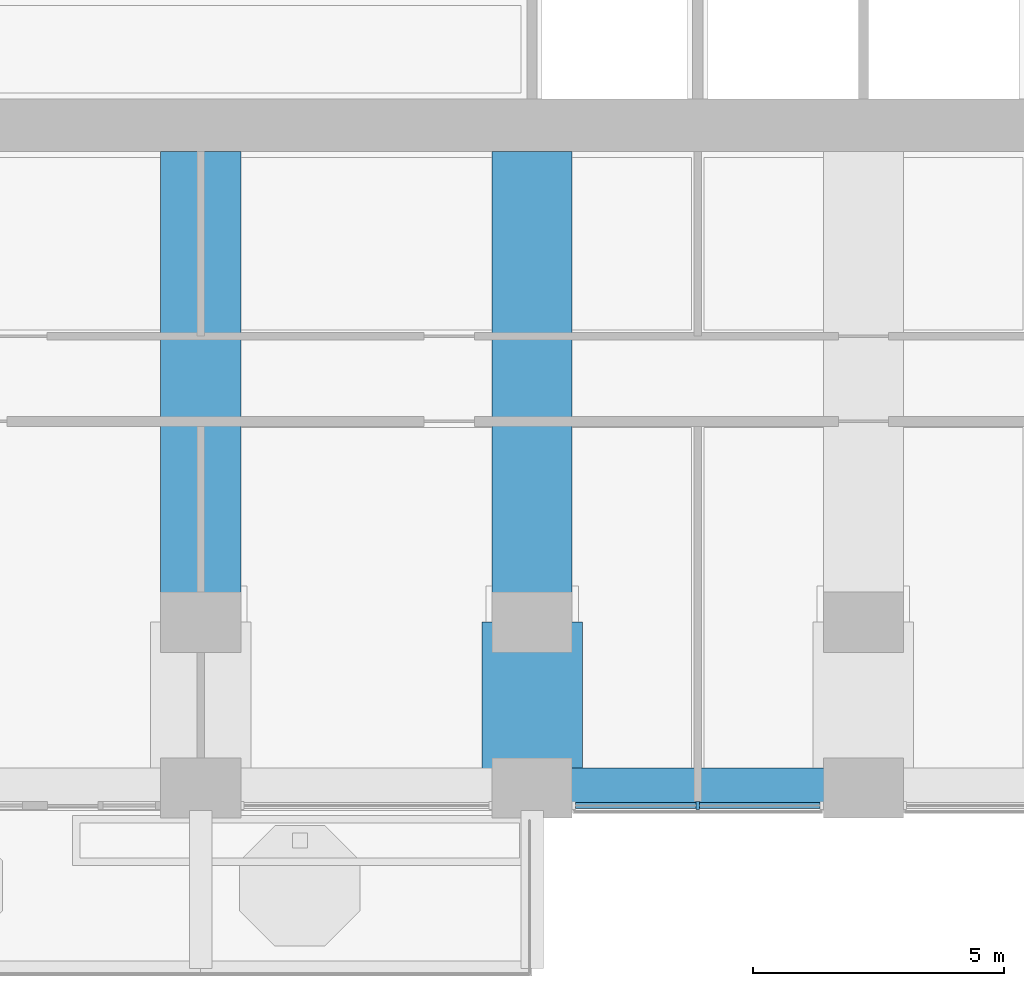
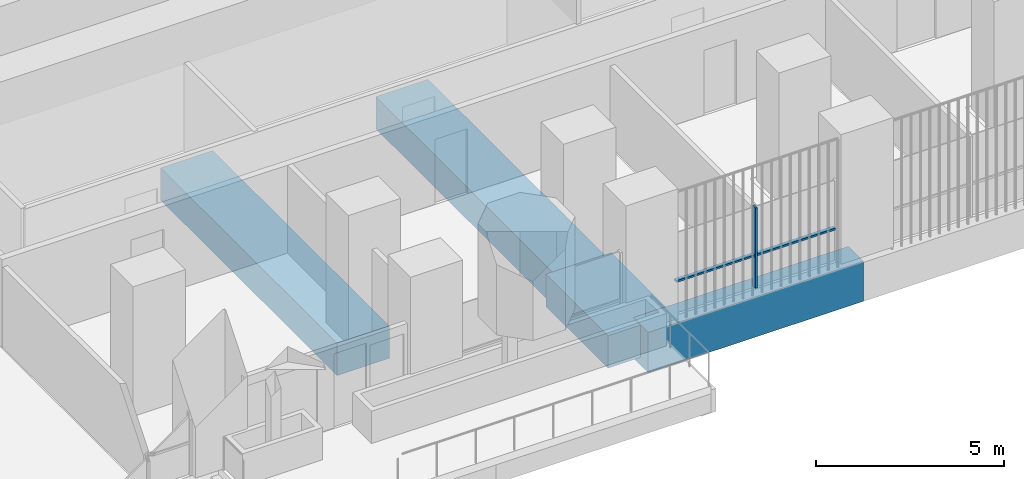
# One storey, part 3 of 21: 4 beams, 3 members, 1 element without a shape of its own.
"""IFC4 building model written with IfcOpenShell, lengths in metres."""

import ifcopenshell
import ifcopenshell.guid

model = None  # the IFC model being written
_history = None  # IfcOwnerHistory: only IFC2X3 demands one
_inside = {}  # id of a spatial element -> (the spatial element, [elements in it])
_under = {}  # id of a project, library or spatial element -> (it, [spatial elements below it])
_declared = {}  # id of a project -> (the project, [libraries it declares])
_typed = {}  # id of a type object -> (the type object, [elements of that type])
_made_of = {}  # id of a material, layer set ... -> (it, [elements and type objects made of it])


def new_model(schema):
    """Start an empty IFC model of exactly this schema.

    Asked for "IFC4X3", IfcOpenShell would pick the latest addendum, in which some entities
    have other attributes; the version numbers below select the first issue.
    IFC2X3 requires an IfcOwnerHistory on every rooted entity: one is made here for all.
    """
    global model, _history
    if schema == "IFC4X3":
        model = ifcopenshell.file(schema_version=(4, 3, 0, 0))
    else:
        model = ifcopenshell.file(schema=schema)
    _inside.clear()
    _under.clear()
    _declared.clear()
    _typed.clear()
    _made_of.clear()
    _history = None
    if model.schema == "IFC2X3":
        org = make("IfcOrganization", Name="unknown")
        user = make(
            "IfcPersonAndOrganization",
            ThePerson=make("IfcPerson", FamilyName="unknown"),
            TheOrganization=org,
        )
        app = make(
            "IfcApplication",
            ApplicationDeveloper=org,
            Version="unknown",
            ApplicationFullName="unknown",
            ApplicationIdentifier="unknown",
        )
        _history = make(
            "IfcOwnerHistory",
            OwningUser=user,
            OwningApplication=app,
            ChangeAction="ADDED",
            CreationDate=0,
        )
    return model


def make(cls, **values):
    """One entity of the class cls with the attributes given. An attribute that is None is left unset."""
    return model.create_entity(
        cls, **{name: value for name, value in values.items() if value is not None}
    )


def rooted(cls, **values):
    """An entity with a GlobalId (a new one), such as an element, a storey or a relation."""
    return make(cls, GlobalId=ifcopenshell.guid.new(), OwnerHistory=_history, **values)


def si_unit(unit_type, name, prefix=None):
    """IfcSIUnit, for example si_unit("LENGTHUNIT", "METRE", prefix="MILLI")."""
    return make("IfcSIUnit", UnitType=unit_type, Prefix=prefix, Name=name)


def assignment(units):
    """IfcUnitAssignment: the units of a project."""
    return None if units is None else make("IfcUnitAssignment", Units=units)


def point(xyz):
    """IfcCartesianPoint."""
    return None if xyz is None else make("IfcCartesianPoint", Coordinates=xyz)


def direction(xyz):
    """IfcDirection."""
    return None if xyz is None else make("IfcDirection", DirectionRatios=xyz)


def frame(location, z_axis=None, x_axis=None):
    """IfcAxis2Placement3D, a coordinate frame: its origin and axes. An axis left out is left unset."""
    return make(
        "IfcAxis2Placement3D",
        Location=point(location),
        Axis=direction(z_axis),
        RefDirection=direction(x_axis),
    )


def frame_2d(location, x_axis=None):
    """IfcAxis2Placement2D, a coordinate frame in the plane: its origin and x axis."""
    return make(
        "IfcAxis2Placement2D", Location=point(location), RefDirection=direction(x_axis)
    )


def origin():
    """The frame at (0, 0, 0) with its axes left unset."""
    return frame((0.0, 0.0, 0.0))


def origin_2d():
    """The frame at (0, 0) in the plane with its x axis left unset."""
    return frame_2d((0.0, 0.0))


def place(relative_to, where):
    """IfcLocalPlacement: puts the frame where relative to a parent placement (None: the world)."""
    return make(
        "IfcLocalPlacement", PlacementRelTo=relative_to, RelativePlacement=where
    )


def context(
    kind, dimensions, precision=None, world=None, true_north=None, identifier=None
):
    """IfcGeometricRepresentationContext, for example the 3D "Model" context."""
    return make(
        "IfcGeometricRepresentationContext",
        ContextIdentifier=identifier,
        ContextType=kind,
        CoordinateSpaceDimension=dimensions,
        Precision=precision,
        WorldCoordinateSystem=world,
        TrueNorth=true_north,
    )


def subcontext(parent, identifier, kind, view, scale=None):
    """IfcGeometricRepresentationSubContext, for example "Body" below "Model"."""
    return make(
        "IfcGeometricRepresentationSubContext",
        ContextIdentifier=identifier,
        ContextType=kind,
        ParentContext=parent,
        TargetScale=scale,
        TargetView=view,
    )


def project(units=None, contexts=None):
    """IfcProject with its units and contexts."""
    return rooted(
        "IfcProject",
        Name="project",
        RepresentationContexts=contexts,
        UnitsInContext=assignment(units),
    )


def spatial(cls, under=None, at=None, **own):
    """A site, building, storey or space (cls), placed at a placement, below another one or the project."""
    s = rooted(cls, ObjectPlacement=at, **own)
    if under is not None:
        _under.setdefault(under.id(), (under, []))[1].append(s)
    return s


def profile(cls, at=None, kind="AREA", **sizes):
    """A parametric profile (cls). Its sizes go by their IFC names, for example OverallWidth=200.0."""
    return make(cls, ProfileType=kind, Position=at, **sizes)


def rectangle(**sizes):
    """IfcRectangleProfileDef."""
    return profile("IfcRectangleProfileDef", **sizes)


def extrude(swept, where, along, depth):
    """IfcExtrudedAreaSolid: the profile swept, set in the frame where, extruded along a direction by depth."""
    return make(
        "IfcExtrudedAreaSolid",
        SweptArea=swept,
        Position=where,
        ExtrudedDirection=direction(along),
        Depth=depth,
    )


def shape(context_of_items, identifier, shape_type, items):
    """IfcShapeRepresentation: the items that make up one representation, for example the "Body"."""
    return make(
        "IfcShapeRepresentation",
        ContextOfItems=context_of_items,
        RepresentationIdentifier=identifier,
        RepresentationType=shape_type,
        Items=items,
    )


def material(Name=None, Category=None):
    """IfcMaterial."""
    return make("IfcMaterial", Name=Name, Category=Category)


def material_profile(
    of_material, cross_section, Name=None, Category=None, Priority=None
):
    """IfcMaterialProfile: a cross section and its material."""
    return make(
        "IfcMaterialProfile",
        Name=Name,
        Material=of_material,
        Profile=cross_section,
        Priority=Priority,
        Category=Category,
    )


def profile_set(profiles, Name=None, composite=None):
    """IfcMaterialProfileSet."""
    return make(
        "IfcMaterialProfileSet",
        Name=Name,
        MaterialProfiles=profiles,
        CompositeProfile=composite,
    )


def made_of(thing, what):
    """Note that an element or type object is made of a material, layer set ...; save() writes the relation."""
    if what is not None:
        _made_of.setdefault(what.id(), (what, []))[1].append(thing)
    return thing


def type_object(cls, material=None, **own):
    """A type object (cls), such as IfcWallType, which elements share."""
    return made_of(rooted(cls, **own), material)


def element(
    cls,
    number,
    at=None,
    inside=None,
    cuts=None,
    type_object=None,
    material=None,
    context=None,
    identifier="Body",
    shape_type=None,
    held_by="IfcProductDefinitionShape",
    body=None,
    shapes=None,
    **own,
):
    """One element of the class cls, such as IfcWall. Its Tag is "e" and its number.

    at: its placement. inside: the storey or other place that contains it. cuts: it is an
    opening in that element (IfcRelVoidsElement). A single representation is given by context,
    identifier, shape_type and body (its items); several are given by shapes. held_by: the class
    of the entity that holds the representations. save() writes the other relations.
    """
    e = rooted(cls, Tag="e%d" % number, ObjectPlacement=at, **own)
    if body is not None:
        shapes = [shape(context, identifier, shape_type, body)]
    if shapes is not None:
        e.Representation = make(held_by, Representations=shapes)
    if inside is not None:
        _inside.setdefault(inside.id(), (inside, []))[1].append(e)
    if cuts is not None:
        rooted(
            "IfcRelVoidsElement", RelatingBuildingElement=cuts, RelatedOpeningElement=e
        )
    if type_object is not None:
        _typed.setdefault(type_object.id(), (type_object, []))[1].append(e)
    return made_of(e, material)


def aggregate(whole, parts):
    """IfcRelAggregates: a whole, such as a stair, and the parts it consists of."""
    return rooted("IfcRelAggregates", RelatingObject=whole, RelatedObjects=parts)


def save(model, path):
    """Write the relations noted so far, then the file.

    IfcRelAggregates (storeys below a building ...), IfcRelContainedInSpatialStructure (elements
    in a storey), IfcRelDefinesByType, IfcRelAssociatesMaterial and IfcRelDeclares: one each for
    every whole, place, type object, material and project.
    """
    for whole, parts in _under.values():
        aggregate(whole, parts)
    for where, things in _inside.values():
        rooted(
            "IfcRelContainedInSpatialStructure",
            RelatedElements=things,
            RelatingStructure=where,
        )
    for kind, things in _typed.values():
        rooted("IfcRelDefinesByType", RelatedObjects=things, RelatingType=kind)
    for what, things in _made_of.values():
        rooted("IfcRelAssociatesMaterial", RelatedObjects=things, RelatingMaterial=what)
    for by, libraries in _declared.values():
        rooted("IfcRelDeclares", RelatingContext=by, RelatedDefinitions=libraries)
    model.write(path)


model = new_model("IFC4")

# Units and contexts
model_context = context("Model", 3, precision=1e-05, world=origin(), true_north=direction((0.0, 1.0)))
body_context = subcontext(model_context, "Body", "Model", "MODEL_VIEW")
ifc_project = project(units=[si_unit("LENGTHUNIT", "METRE"), si_unit("AREAUNIT", "SQUARE_METRE"), si_unit("VOLUMEUNIT", "CUBIC_METRE"), si_unit("PLANEANGLEUNIT", "RADIAN"), si_unit("MASSUNIT", "GRAM", prefix="KILO")], contexts=[model_context])

# Site, building, storey
site_placement = place(None, origin())
site = spatial("IfcSite", under=ifc_project, at=site_placement, CompositionType="ELEMENT")
building_placement = place(site_placement, origin())
building = spatial("IfcBuilding", under=site, at=building_placement, Name="Cobogo Forest Laboratory Tower", CompositionType="ELEMENT")
storey_placement = place(building_placement, frame((0.0, 0.0, 141.0)))
storey = spatial("IfcBuildingStorey", under=building, at=storey_placement, Name="L32", CompositionType="ELEMENT", Elevation=141.0)

# Beams
ifc_material_1 = material(Name="Concrete HA-50 (C50/60)", Category="concrete")
ifc_material_profile_1 = material_profile(ifc_material_1, rectangle(XDim=2.0, YDim=1.050048828125, at=origin_2d()), Name="RC 2000x1050")
ifc_profile_set_1 = profile_set([ifc_material_profile_1], Name="Concrete HA-50 (C50/60)")
beam_type_1 = type_object("IfcBeamType", Name="End-bay wide beam 2000x1050", PredefinedType="BEAM", material=ifc_profile_set_1)
beam_1_placement = place(storey_placement, frame((26.39990234375, 0.0, -0.824951171875), z_axis=(0.0, 1.0, 0.0), x_axis=(-1.0, 0.0, 0.0)))
element("IfcBeam", 1, at=beam_1_placement, inside=storey, type_object=beam_type_1, Name="RB7 R-5-S-X L32", PredefinedType="BEAM", context=body_context, shape_type="SweptSolid", body=[
    extrude(rectangle(XDim=2.0, YDim=1.050048828125, at=origin_2d()), origin(), (0.0, 0.0, 1.0), 3.300048828125),
])
ifc_material_profile_2 = material_profile(ifc_material_1, rectangle(XDim=1.60009765625, YDim=1.050048828125, at=origin_2d()), Name="RC 1600x1050")
ifc_profile_set_2 = profile_set([ifc_material_profile_2], Name="Concrete HA-50 (C50/60)")
beam_type_2 = type_object("IfcBeamType", Name="Laboratory floor wide beam 1600x1050", PredefinedType="BEAM", material=ifc_profile_set_2)
for number, where, z_axis, x_axis, name in (
    (2, (19.800048828125, 12.675048828125, -0.824951171875), (0.0, -1.0, 0.0), (1.0, 0.0, 0.0), "RB8 R-4-S L32"),
    (3, (26.39990234375, 12.675048828125, -0.824951171875), (0.0, -1.0, 0.0), (1.0, 0.0, 0.0), "RB8 R-5-S L32"),
):
    element("IfcBeam", number, at=place(storey_placement, frame(where, z_axis=z_axis, x_axis=x_axis)), inside=storey, type_object=beam_type_2, Name=name, PredefinedType="BEAM", context=body_context, shape_type="SweptSolid", body=[
        extrude(rectangle(XDim=1.60009765625, YDim=1.050048828125, at=origin_2d()), origin(), (0.0, 0.0, 1.0), 9.375),
    ])

# Curtain wall, member
ifc_material_2 = material(Name="Aluminium curtain wall", Category="aluminium")
curtain_wall_type = type_object("IfcCurtainWallType", Name="CW-1 unitised curtain wall, clear glazing, laboratory floors zones A and B", PredefinedType="USERDEFINED", material=ifc_material_2)
curtain_wall_placement = place(storey_placement, origin())
curtain_wall = element("IfcCurtainWall", 4, at=curtain_wall_placement, inside=storey, type_object=curtain_wall_type, Name="Curtain wall 04 L32", ObjectType="UNITISED CURTAIN WALL", PredefinedType="USERDEFINED")
ifc_material_3 = material(Name="Aluminium mullion", Category="aluminium")
ifc_material_profile_3 = material_profile(ifc_material_3, rectangle(XDim=0.06005859375, YDim=0.159912109375, at=origin_2d()), Name="AL 60x160")
ifc_profile_set_3 = profile_set([ifc_material_profile_3], Name="Aluminium mullion")
member_type_1 = type_object("IfcMemberType", Name="MU-1 aluminium mullion 60x160", PredefinedType="MULLION", material=ifc_profile_set_3)
member_1_placement = place(storey_placement, frame((29.699951171875, -0.35009765625, 0.0), z_axis=(0.0, 0.0, 1.0), x_axis=(1.0, 0.0, 0.0)))
member_1 = element("IfcMember", 5, at=member_1_placement, type_object=member_type_1, Name="CW-1 mullion 2", PredefinedType="MULLION", context=body_context, shape_type="SweptSolid", body=[
    extrude(rectangle(XDim=0.06005859375, YDim=0.159912109375, at=origin_2d()), origin(), (0.0, 0.0, 1.0), 2.60009765625),
])

# Beam
ifc_material_4 = material(Name="Concrete HA-40 (C40/50)", Category="concrete")
ifc_material_profile_4 = material_profile(ifc_material_4, rectangle(XDim=0.800048828125, YDim=1.300048828125, at=origin_2d()), Name="RC 800x1300")
ifc_profile_set_4 = profile_set([ifc_material_profile_4], Name="Concrete HA-40 (C40/50)")
beam_type_3 = type_object("IfcBeamType", Name="Perimeter edge beam 800x1300", PredefinedType="BEAM", material=ifc_profile_set_4)
beam_2_placement = place(storey_placement, frame((26.39990234375, 0.0, -0.949951171875), z_axis=(1.0, 0.0, 0.0), x_axis=(0.0, 1.0, 0.0)))
element("IfcBeam", 6, at=beam_2_placement, inside=storey, type_object=beam_type_3, Name="EB2 E-S3 L32", PredefinedType="BEAM", context=body_context, shape_type="SweptSolid", body=[
    extrude(rectangle(XDim=0.800048828125, YDim=1.300048828125, at=origin_2d()), origin(), (0.0, 0.0, 1.0), 6.60009765625),
])

# Member
ifc_material_5 = material(Name="Aluminium transom", Category="aluminium")
ifc_material_profile_5 = material_profile(ifc_material_5, rectangle(XDim=0.1201171875, YDim=0.06005859375, at=origin_2d()), Name="AL 60x120")
ifc_profile_set_5 = profile_set([ifc_material_profile_5], Name="Aluminium transom")
member_type_2 = type_object("IfcMemberType", Name="TR-1 aluminium transom 60x120", PredefinedType="USERDEFINED", material=ifc_profile_set_5)
member_2_placement = place(storey_placement, frame((27.260009765625, -0.35009765625, 1.050048828125), z_axis=(1.0, 0.0, 0.0), x_axis=(0.0, 1.0, 0.0)))
member_2 = element("IfcMember", 7, at=member_2_placement, type_object=member_type_2, Name="CW-1 transom 1.1", ObjectType="TRANSOM", PredefinedType="USERDEFINED", context=body_context, shape_type="SweptSolid", body=[
    extrude(rectangle(XDim=0.1201171875, YDim=0.06005859375, at=origin_2d()), origin(), (0.0, 0.0, 1.0), 2.409912109375),
])

member_3_placement = place(storey_placement, frame((29.72998046875, -0.35009765625, 1.050048828125), z_axis=(1.0, 0.0, 0.0), x_axis=(0.0, 1.0, 0.0)))
member_3 = element("IfcMember", 8, at=member_3_placement, type_object=member_type_2, Name="CW-1 transom 2.1", ObjectType="TRANSOM", PredefinedType="USERDEFINED", context=body_context, shape_type="SweptSolid", body=[
    extrude(rectangle(XDim=0.1201171875, YDim=0.06005859375, at=origin_2d()), origin(), (0.0, 0.0, 1.0), 2.409912109375),
])

aggregate(curtain_wall, [member_1, member_2, member_3])

save(model, "model.ifc")
